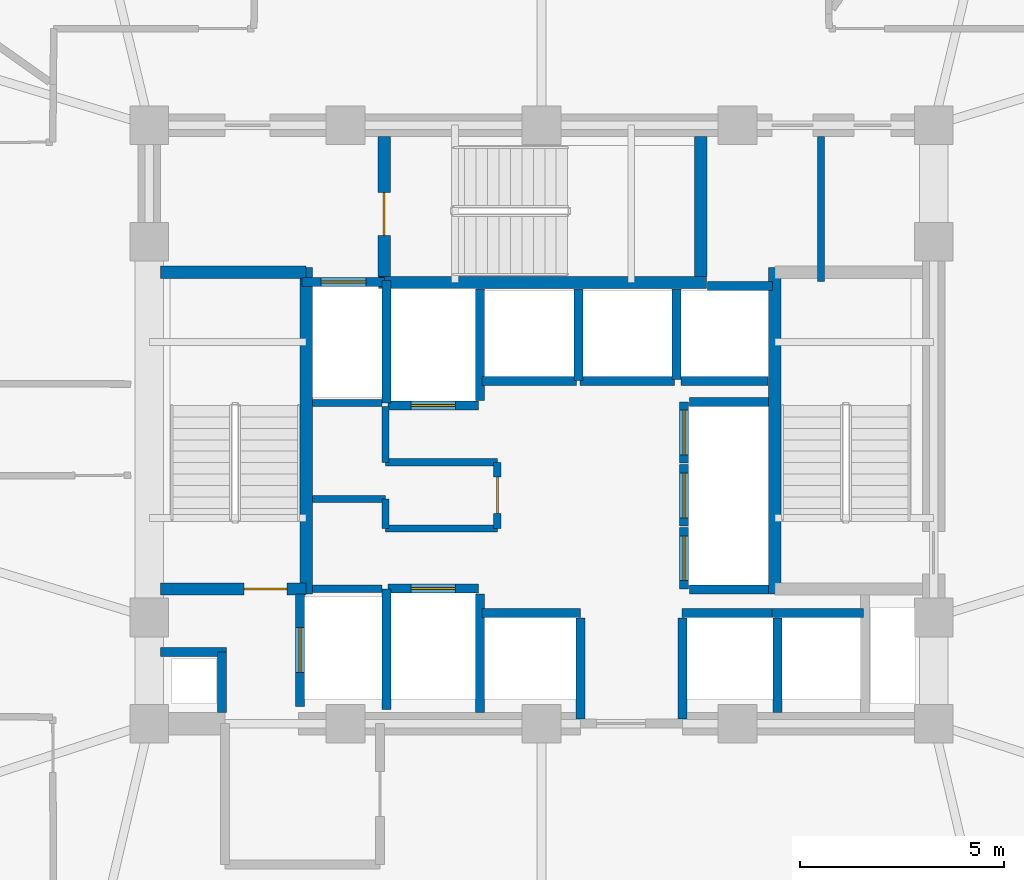
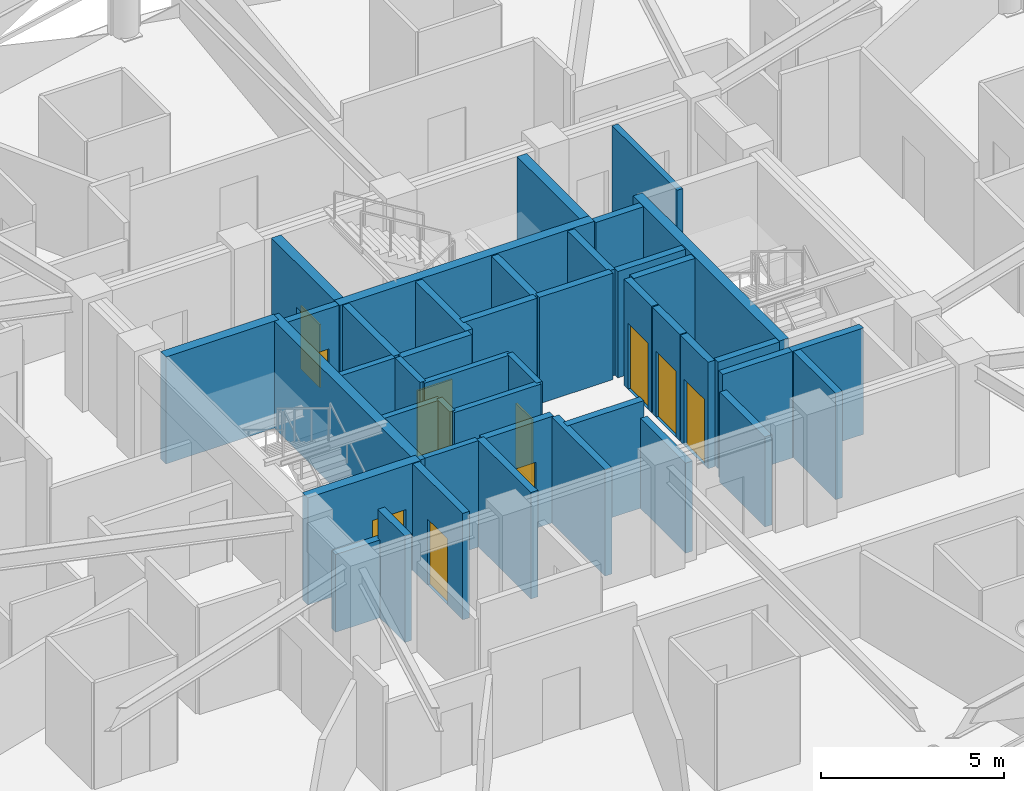
# One storey, part 23 of 29: 43 walls, 10 doors, 10 openings.
"""IFC4 building model written with IfcOpenShell, lengths in metres."""

import ifcopenshell
import ifcopenshell.guid

model = None  # the IFC model being written
_history = None  # IfcOwnerHistory: only IFC2X3 demands one
_inside = {}  # id of a spatial element -> (the spatial element, [elements in it])
_under = {}  # id of a project, library or spatial element -> (it, [spatial elements below it])
_declared = {}  # id of a project -> (the project, [libraries it declares])
_typed = {}  # id of a type object -> (the type object, [elements of that type])
_made_of = {}  # id of a material, layer set ... -> (it, [elements and type objects made of it])


def new_model(schema):
    """Start an empty IFC model of exactly this schema.

    Asked for "IFC4X3", IfcOpenShell would pick the latest addendum, in which some entities
    have other attributes; the version numbers below select the first issue.
    IFC2X3 requires an IfcOwnerHistory on every rooted entity: one is made here for all.
    """
    global model, _history
    if schema == "IFC4X3":
        model = ifcopenshell.file(schema_version=(4, 3, 0, 0))
    else:
        model = ifcopenshell.file(schema=schema)
    _inside.clear()
    _under.clear()
    _declared.clear()
    _typed.clear()
    _made_of.clear()
    _history = None
    if model.schema == "IFC2X3":
        org = make("IfcOrganization", Name="unknown")
        user = make(
            "IfcPersonAndOrganization",
            ThePerson=make("IfcPerson", FamilyName="unknown"),
            TheOrganization=org,
        )
        app = make(
            "IfcApplication",
            ApplicationDeveloper=org,
            Version="unknown",
            ApplicationFullName="unknown",
            ApplicationIdentifier="unknown",
        )
        _history = make(
            "IfcOwnerHistory",
            OwningUser=user,
            OwningApplication=app,
            ChangeAction="ADDED",
            CreationDate=0,
        )
    return model


def make(cls, **values):
    """One entity of the class cls with the attributes given. An attribute that is None is left unset."""
    return model.create_entity(
        cls, **{name: value for name, value in values.items() if value is not None}
    )


def rooted(cls, **values):
    """An entity with a GlobalId (a new one), such as an element, a storey or a relation."""
    return make(cls, GlobalId=ifcopenshell.guid.new(), OwnerHistory=_history, **values)


def si_unit(unit_type, name, prefix=None):
    """IfcSIUnit, for example si_unit("LENGTHUNIT", "METRE", prefix="MILLI")."""
    return make("IfcSIUnit", UnitType=unit_type, Prefix=prefix, Name=name)


def assignment(units):
    """IfcUnitAssignment: the units of a project."""
    return None if units is None else make("IfcUnitAssignment", Units=units)


def point(xyz):
    """IfcCartesianPoint."""
    return None if xyz is None else make("IfcCartesianPoint", Coordinates=xyz)


def direction(xyz):
    """IfcDirection."""
    return None if xyz is None else make("IfcDirection", DirectionRatios=xyz)


def frame(location, z_axis=None, x_axis=None):
    """IfcAxis2Placement3D, a coordinate frame: its origin and axes. An axis left out is left unset."""
    return make(
        "IfcAxis2Placement3D",
        Location=point(location),
        Axis=direction(z_axis),
        RefDirection=direction(x_axis),
    )


def frame_2d(location, x_axis=None):
    """IfcAxis2Placement2D, a coordinate frame in the plane: its origin and x axis."""
    return make(
        "IfcAxis2Placement2D", Location=point(location), RefDirection=direction(x_axis)
    )


def origin():
    """The frame at (0, 0, 0) with its axes left unset."""
    return frame((0.0, 0.0, 0.0))


def place(relative_to, where):
    """IfcLocalPlacement: puts the frame where relative to a parent placement (None: the world)."""
    return make(
        "IfcLocalPlacement", PlacementRelTo=relative_to, RelativePlacement=where
    )


def context(
    kind, dimensions, precision=None, world=None, true_north=None, identifier=None
):
    """IfcGeometricRepresentationContext, for example the 3D "Model" context."""
    return make(
        "IfcGeometricRepresentationContext",
        ContextIdentifier=identifier,
        ContextType=kind,
        CoordinateSpaceDimension=dimensions,
        Precision=precision,
        WorldCoordinateSystem=world,
        TrueNorth=true_north,
    )


def subcontext(parent, identifier, kind, view, scale=None):
    """IfcGeometricRepresentationSubContext, for example "Body" below "Model"."""
    return make(
        "IfcGeometricRepresentationSubContext",
        ContextIdentifier=identifier,
        ContextType=kind,
        ParentContext=parent,
        TargetScale=scale,
        TargetView=view,
    )


def project(units=None, contexts=None):
    """IfcProject with its units and contexts."""
    return rooted(
        "IfcProject",
        Name="project",
        RepresentationContexts=contexts,
        UnitsInContext=assignment(units),
    )


def spatial(cls, under=None, at=None, **own):
    """A site, building, storey or space (cls), placed at a placement, below another one or the project."""
    s = rooted(cls, ObjectPlacement=at, **own)
    if under is not None:
        _under.setdefault(under.id(), (under, []))[1].append(s)
    return s


def profile(cls, at=None, kind="AREA", **sizes):
    """A parametric profile (cls). Its sizes go by their IFC names, for example OverallWidth=200.0."""
    return make(cls, ProfileType=kind, Position=at, **sizes)


def rectangle(**sizes):
    """IfcRectangleProfileDef."""
    return profile("IfcRectangleProfileDef", **sizes)


def extrude(swept, where, along, depth):
    """IfcExtrudedAreaSolid: the profile swept, set in the frame where, extruded along a direction by depth."""
    return make(
        "IfcExtrudedAreaSolid",
        SweptArea=swept,
        Position=where,
        ExtrudedDirection=direction(along),
        Depth=depth,
    )


def shape(context_of_items, identifier, shape_type, items):
    """IfcShapeRepresentation: the items that make up one representation, for example the "Body"."""
    return make(
        "IfcShapeRepresentation",
        ContextOfItems=context_of_items,
        RepresentationIdentifier=identifier,
        RepresentationType=shape_type,
        Items=items,
    )


def material(Name=None, Category=None):
    """IfcMaterial."""
    return make("IfcMaterial", Name=Name, Category=Category)


def layer(
    of_material, thickness, ventilated=None, Name=None, Category=None, Priority=None
):
    """IfcMaterialLayer: one layer of a wall or slab, of a material (None: an air gap)."""
    return make(
        "IfcMaterialLayer",
        Material=of_material,
        LayerThickness=thickness,
        IsVentilated=ventilated,
        Name=Name,
        Category=Category,
        Priority=Priority,
    )


def layer_set(layers, Name=None):
    """IfcMaterialLayerSet."""
    return make("IfcMaterialLayerSet", MaterialLayers=layers, LayerSetName=Name)


def made_of(thing, what):
    """Note that an element or type object is made of a material, layer set ...; save() writes the relation."""
    if what is not None:
        _made_of.setdefault(what.id(), (what, []))[1].append(thing)
    return thing


def type_object(cls, material=None, **own):
    """A type object (cls), such as IfcWallType, which elements share."""
    return made_of(rooted(cls, **own), material)


def element(
    cls,
    number,
    at=None,
    inside=None,
    cuts=None,
    type_object=None,
    material=None,
    context=None,
    identifier="Body",
    shape_type=None,
    held_by="IfcProductDefinitionShape",
    body=None,
    shapes=None,
    **own,
):
    """One element of the class cls, such as IfcWall. Its Tag is "e" and its number.

    at: its placement. inside: the storey or other place that contains it. cuts: it is an
    opening in that element (IfcRelVoidsElement). A single representation is given by context,
    identifier, shape_type and body (its items); several are given by shapes. held_by: the class
    of the entity that holds the representations. save() writes the other relations.
    """
    e = rooted(cls, Tag="e%d" % number, ObjectPlacement=at, **own)
    if body is not None:
        shapes = [shape(context, identifier, shape_type, body)]
    if shapes is not None:
        e.Representation = make(held_by, Representations=shapes)
    if inside is not None:
        _inside.setdefault(inside.id(), (inside, []))[1].append(e)
    if cuts is not None:
        rooted(
            "IfcRelVoidsElement", RelatingBuildingElement=cuts, RelatedOpeningElement=e
        )
    if type_object is not None:
        _typed.setdefault(type_object.id(), (type_object, []))[1].append(e)
    return made_of(e, material)


def fill(opening, filler):
    """IfcRelFillsElement: the door or window that sits in an opening."""
    return rooted(
        "IfcRelFillsElement",
        RelatingOpeningElement=opening,
        RelatedBuildingElement=filler,
    )


def aggregate(whole, parts):
    """IfcRelAggregates: a whole, such as a stair, and the parts it consists of."""
    return rooted("IfcRelAggregates", RelatingObject=whole, RelatedObjects=parts)


def save(model, path):
    """Write the relations noted so far, then the file.

    IfcRelAggregates (storeys below a building ...), IfcRelContainedInSpatialStructure (elements
    in a storey), IfcRelDefinesByType, IfcRelAssociatesMaterial and IfcRelDeclares: one each for
    every whole, place, type object, material and project.
    """
    for whole, parts in _under.values():
        aggregate(whole, parts)
    for where, things in _inside.values():
        rooted(
            "IfcRelContainedInSpatialStructure",
            RelatedElements=things,
            RelatingStructure=where,
        )
    for kind, things in _typed.values():
        rooted("IfcRelDefinesByType", RelatedObjects=things, RelatingType=kind)
    for what, things in _made_of.values():
        rooted("IfcRelAssociatesMaterial", RelatedObjects=things, RelatingMaterial=what)
    for by, libraries in _declared.values():
        rooted("IfcRelDeclares", RelatingContext=by, RelatedDefinitions=libraries)
    model.write(path)


model = new_model("IFC4")

# Units and contexts
model_context = context("Model", 3, precision=1e-05, world=origin(), true_north=direction((0.0, 1.0)))
body_context = subcontext(model_context, "Body", "Model", "MODEL_VIEW")
ifc_project = project(units=[si_unit("LENGTHUNIT", "METRE"), si_unit("AREAUNIT", "SQUARE_METRE"), si_unit("VOLUMEUNIT", "CUBIC_METRE"), si_unit("PLANEANGLEUNIT", "RADIAN"), si_unit("MASSUNIT", "GRAM", prefix="KILO")], contexts=[model_context])

# Site, building, storey
site_placement = place(None, origin())
site = spatial("IfcSite", under=ifc_project, at=site_placement, CompositionType="ELEMENT")
building_placement = place(site_placement, origin())
building = spatial("IfcBuilding", under=site, at=building_placement, Name="Vantalir Tower", CompositionType="ELEMENT")
storey_placement = place(building_placement, frame((0.0, 0.0, 149.699951171875)))
storey = spatial("IfcBuildingStorey", under=building, at=storey_placement, Name="L37", CompositionType="ELEMENT", Elevation=149.699951171875)

# Walls
ifc_material_1 = material(Name="Concrete blockwork with fireboard lining", Category="masonry")
ifc_layer_1 = layer(ifc_material_1, 0.219970703125)
ifc_layer_set_1 = layer_set([ifc_layer_1], Name="Concrete blockwork with fireboard lining")
wall_type_1 = type_object("IfcWallType", Name="WL-FFL-220", PredefinedType="PARTITIONING", material=ifc_layer_set_1)
wall_1_placement = place(storey_placement, frame((30.0, 18.080078125, 0.0), z_axis=(0.0, 0.0, 1.0), x_axis=(0.0, 1.0, 0.0)))
element("IfcWall", 1, at=wall_1_placement, inside=storey, type_object=wall_type_1, Name="L37 Service Lift SV1 East Shaft Wall", PredefinedType="PARTITIONING", context=body_context, shape_type="SweptSolid", body=[
    extrude(rectangle(XDim=2.89990234375, YDim=0.219970703125, at=frame_2d((1.449951171875, 0.0))), origin(), (0.0, 0.0, 1.0), 3.545166015625),
])
for number, where, z_axis, x_axis, name in (
    (2, (32.449951171875, 17.919921875, 0.0), (0.0, 0.0, 1.0), (0.0, 1.0, 0.0), "L37 Shuttle Lift PL-X1 East Shaft Cheek"),
    (3, (34.949951171875, 17.919921875, 0.0), (0.0, 0.0, 1.0), (0.0, 1.0, 0.0), "L37 Shuttle Lift PL-X3 West Shaft Cheek"),
):
    element("IfcWall", number, at=place(storey_placement, frame(where, z_axis=z_axis, x_axis=x_axis)), inside=storey, type_object=wall_type_1, Name=name, PredefinedType="PARTITIONING", context=body_context, shape_type="SweptSolid", body=[
        extrude(rectangle(XDim=2.469970703125, YDim=0.219970703125, at=frame_2d((1.23486328125, 0.0))), origin(), (0.0, 0.0, 1.0), 3.006103515625),
    ])
wall_2_placement = place(storey_placement, frame((37.27490234375, 18.080078125, 0.0), z_axis=(0.0, 0.0, 1.0), x_axis=(0.0, 1.0, 0.0)))
element("IfcWall", 4, at=wall_2_placement, inside=storey, type_object=wall_type_1, Name="L37 Shuttle Lift PL-X2/X3 Shaft Divider", PredefinedType="PARTITIONING", context=body_context, shape_type="SweptSolid", body=[
    extrude(rectangle(XDim=2.309814453125, YDim=0.219970703125, at=frame_2d((1.15478515625, 0.0))), origin(), (0.0, 0.0, 1.0), 3.545166015625),
])
wall_3_placement = place(storey_placement, frame((30.0, 25.7099609375, 0.0), z_axis=(0.0, 0.0, 1.0), x_axis=(0.0, 1.0, 0.0)))
element("IfcWall", 5, at=wall_3_placement, inside=storey, type_object=wall_type_1, Name="L37 Service Lift SV2 East Shaft Wall", PredefinedType="PARTITIONING", context=body_context, shape_type="SweptSolid", body=[
    extrude(rectangle(XDim=2.72998046875, YDim=0.219970703125, at=frame_2d((1.364990234375, 0.0))), origin(), (0.0, 0.0, 1.0), 3.545166015625),
])
wall_4_placement = place(storey_placement, frame((32.39990234375, 26.199951171875, 0.0), z_axis=(0.0, 0.0, 1.0), x_axis=(0.0, 1.0, 0.0)))
element("IfcWall", 6, at=wall_4_placement, inside=storey, type_object=wall_type_1, Name="L37 High-Rise Lift PL-H1/H2 Shaft Divider", PredefinedType="PARTITIONING", context=body_context, shape_type="SweptSolid", body=[
    extrude(rectangle(XDim=2.239990234375, YDim=0.219970703125, at=frame_2d((1.1201171875, 0.0))), origin(), (0.0, 0.0, 1.0), 3.545166015625),
])
wall_5_placement = place(storey_placement, frame((34.800048828125, 26.22998046875, 0.0), z_axis=(0.0, 0.0, 1.0), x_axis=(0.0, 1.0, 0.0)))
element("IfcWall", 7, at=wall_5_placement, inside=storey, type_object=wall_type_1, Name="L37 High-Rise Lift PL-H2/H3 Shaft Divider", PredefinedType="PARTITIONING", context=body_context, shape_type="SweptSolid", body=[
    extrude(rectangle(XDim=2.2099609375, YDim=0.219970703125, at=frame_2d((1.10498046875, 0.0))), origin(), (0.0, 0.0, 1.0), 3.545166015625),
])
wall_6_placement = place(storey_placement, frame((34.909912109375, 26.18994140625, 0.0), z_axis=(0.0, 0.0, 1.0), x_axis=(1.0, 0.0, 0.0)))
element("IfcWall", 8, at=wall_6_placement, inside=storey, type_object=wall_type_1, Name="L37 High-Rise Lift PL-H3 Rear Shaft Wall", PredefinedType="PARTITIONING", context=body_context, shape_type="SweptSolid", body=[
    extrude(rectangle(XDim=2.14013671875, YDim=0.219970703125, at=frame_2d((1.070068359375, 0.0))), origin(), (0.0, 0.0, 1.0), 3.545166015625),
])
wall_7_placement = place(storey_placement, frame((23.679931640625, 18.074951171875, 0.0), z_axis=(0.0, 0.0, 1.0), x_axis=(0.0, 1.0, 0.0)))
element("IfcWall", 9, at=wall_7_placement, inside=storey, type_object=wall_type_1, Name="L37 West MEP Riser Wall E", PredefinedType="PARTITIONING", context=body_context, shape_type="SweptSolid", body=[
    extrude(rectangle(XDim=1.47509765625, YDim=0.219970703125, at=frame_2d((0.737548828125, 0.0))), origin(), (0.0, 0.0, 1.0), 3.550048828125),
])
wall_8_placement = place(storey_placement, frame((22.175048828125, 19.550048828125, 0.0), z_axis=(0.0, 0.0, 1.0), x_axis=(1.0, 0.0, 0.0)))
element("IfcWall", 10, at=wall_8_placement, inside=storey, type_object=wall_type_1, Name="L37 West MEP Riser Wall N", PredefinedType="PARTITIONING", context=body_context, shape_type="SweptSolid", body=[
    extrude(rectangle(XDim=1.614990234375, YDim=0.219970703125, at=frame_2d((0.8076171875, 0.0))), origin(), (0.0, 0.0, 1.0), 2.594970703125),
])

# Wall, opening, door
wall_9_placement = place(storey_placement, frame((25.590087890625, 18.219970703125, 0.0), z_axis=(0.0, 0.0, 1.0), x_axis=(0.0, 1.0, 0.0)))
wall_9 = element("IfcWall", 11, at=wall_9_placement, inside=storey, type_object=wall_type_1, Name="L37 Lift FL1 Shaft Front Wall", PredefinedType="PARTITIONING", context=body_context, shape_type="SweptSolid", body=[
    extrude(rectangle(XDim=2.760009765625, YDim=0.219970703125, at=frame_2d((1.3798828125, 0.0))), origin(), (0.0, 0.0, 1.0), 3.550048828125),
])
opening_1_placement = place(wall_9_placement, frame((0.830078125, 0.0, 0.0)))
opening_1 = element("IfcOpeningElement", 12, at=opening_1_placement, cuts=wall_9, Name="Opening LD-FL1", PredefinedType="OPENING", context=body_context, shape_type="SweptSolid", body=[
    extrude(rectangle(XDim=1.10009765625, YDim=2.199951171875, at=frame_2d((0.550048828125, 1.10009765625))), frame((0.0, 0.119873046875, 0.0), z_axis=(0.0, -1.0, 0.0), x_axis=(1.0, 0.0, 0.0)), (0.0, 0.0, 1.0), 0.239990234375),
])
ifc_material_2 = material(Name="Brushed stainless-steel sliding lift landing door", Category="steel")
door_type_1 = type_object("IfcDoorType", Name="DR-LIFT-LANDING-1100", OperationType="DOUBLE_DOOR_SLIDING", PredefinedType="DOOR", material=ifc_material_2)
door_1_placement = place(opening_1_placement, origin())
door_1 = element("IfcDoor", 13, at=door_1_placement, inside=storey, type_object=door_type_1, Name="L37 Lift Landing Door FL1", OperationType="DOUBLE_DOOR_SLIDING", OverallHeight=2.199951171875, OverallWidth=1.10009765625, PredefinedType="DOOR", context=body_context, shape_type="SweptSolid", body=[
    extrude(rectangle(XDim=1.10009765625, YDim=2.199951171875, at=frame_2d((0.550048828125, 1.10009765625))), frame((0.0, 0.02490234375, 0.0), z_axis=(0.0, -1.0, 0.0), x_axis=(1.0, 0.0, 0.0)), (0.0, 0.0, 1.0), 0.050048828125),
])
fill(opening_1, door_1)

wall_10_placement = place(storey_placement, frame((25.639892578125, 28.610107421875, 0.0), z_axis=(0.0, 0.0, 1.0), x_axis=(1.0, 0.0, 0.0)))
wall_10 = element("IfcWall", 14, at=wall_10_placement, inside=storey, type_object=wall_type_1, Name="L37 Lift FL2 Shaft Front Wall", PredefinedType="PARTITIONING", context=body_context, shape_type="SweptSolid", body=[
    extrude(rectangle(XDim=2.02001953125, YDim=0.219970703125, at=frame_2d((1.010009765625, 0.0))), origin(), (0.0, 0.0, 1.0), 3.550048828125),
])
opening_2_placement = place(wall_10_placement, frame((0.4599609375, 0.0, 0.0)))
opening_2 = element("IfcOpeningElement", 15, at=opening_2_placement, cuts=wall_10, Name="Opening LD-FL2", PredefinedType="OPENING", context=body_context, shape_type="SweptSolid", body=[
    extrude(rectangle(XDim=1.10009765625, YDim=2.199951171875, at=frame_2d((0.550048828125, 1.10009765625))), frame((0.0, 0.119873046875, 0.0), z_axis=(0.0, -1.0, 0.0), x_axis=(1.0, 0.0, 0.0)), (0.0, 0.0, 1.0), 0.239990234375),
])
door_2_placement = place(opening_2_placement, origin())
door_2 = element("IfcDoor", 16, at=door_2_placement, inside=storey, type_object=door_type_1, Name="L37 Lift Landing Door FL2", OperationType="DOUBLE_DOOR_SLIDING", OverallHeight=2.199951171875, OverallWidth=1.10009765625, PredefinedType="DOOR", context=body_context, shape_type="SweptSolid", body=[
    extrude(rectangle(XDim=1.10009765625, YDim=2.199951171875, at=frame_2d((0.550048828125, 1.10009765625))), frame((0.0, 0.02490234375, 0.0), z_axis=(0.0, -1.0, 0.0), x_axis=(1.0, 0.0, 0.0)), (0.0, 0.0, 1.0), 0.050048828125),
])
fill(opening_2, door_2)

wall_11_placement = place(storey_placement, frame((27.739990234375, 21.110107421875, 0.0), z_axis=(0.0, 0.0, 1.0), x_axis=(1.0, 0.0, 0.0)))
wall_11 = element("IfcWall", 17, at=wall_11_placement, inside=storey, type_object=wall_type_1, Name="L37 Lift SV1 Shaft Front Wall", PredefinedType="PARTITIONING", context=body_context, shape_type="SweptSolid", body=[
    extrude(rectangle(XDim=2.219970703125, YDim=0.219970703125, at=frame_2d((1.10986328125, 0.0))), origin(), (0.0, 0.0, 1.0), 3.550048828125),
])
opening_3_placement = place(wall_11_placement, frame((0.56005859375, 0.0, 0.0)))
opening_3 = element("IfcOpeningElement", 18, at=opening_3_placement, cuts=wall_11, Name="Opening LD-SV1", PredefinedType="OPENING", context=body_context, shape_type="SweptSolid", body=[
    extrude(rectangle(XDim=1.10009765625, YDim=2.199951171875, at=frame_2d((0.550048828125, 1.10009765625))), frame((0.0, 0.119873046875, 0.0), z_axis=(0.0, -1.0, 0.0), x_axis=(1.0, 0.0, 0.0)), (0.0, 0.0, 1.0), 0.239990234375),
])
door_3_placement = place(opening_3_placement, origin())
door_3 = element("IfcDoor", 19, at=door_3_placement, inside=storey, type_object=door_type_1, Name="L37 Lift Landing Door SV1", OperationType="DOUBLE_DOOR_SLIDING", OverallHeight=2.199951171875, OverallWidth=1.10009765625, PredefinedType="DOOR", context=body_context, shape_type="SweptSolid", body=[
    extrude(rectangle(XDim=1.10009765625, YDim=2.199951171875, at=frame_2d((0.550048828125, 1.10009765625))), frame((0.0, 0.02490234375, 0.0), z_axis=(0.0, -1.0, 0.0), x_axis=(1.0, 0.0, 0.0)), (0.0, 0.0, 1.0), 0.050048828125),
])
fill(opening_3, door_3)

wall_12_placement = place(storey_placement, frame((27.739990234375, 25.590087890625, 0.0), z_axis=(0.0, 0.0, 1.0), x_axis=(1.0, 0.0, 0.0)))
wall_12 = element("IfcWall", 20, at=wall_12_placement, inside=storey, type_object=wall_type_1, Name="L37 Lift SV2 Shaft Front Wall", PredefinedType="PARTITIONING", context=body_context, shape_type="SweptSolid", body=[
    extrude(rectangle(XDim=2.219970703125, YDim=0.219970703125, at=frame_2d((1.10986328125, 0.0))), origin(), (0.0, 0.0, 1.0), 3.550048828125),
])
opening_4_placement = place(wall_12_placement, frame((0.56005859375, 0.0, 0.0)))
opening_4 = element("IfcOpeningElement", 21, at=opening_4_placement, cuts=wall_12, Name="Opening LD-SV2", PredefinedType="OPENING", context=body_context, shape_type="SweptSolid", body=[
    extrude(rectangle(XDim=1.10009765625, YDim=2.199951171875, at=frame_2d((0.550048828125, 1.10009765625))), frame((0.0, 0.119873046875, 0.0), z_axis=(0.0, -1.0, 0.0), x_axis=(1.0, 0.0, 0.0)), (0.0, 0.0, 1.0), 0.239990234375),
])
door_4_placement = place(opening_4_placement, frame((1.10009765625, 0.0, 0.0), z_axis=(0.0, 0.0, 1.0), x_axis=(-1.0, 0.0, 0.0)))
door_4 = element("IfcDoor", 22, at=door_4_placement, inside=storey, type_object=door_type_1, Name="L37 Lift Landing Door SV2", OperationType="DOUBLE_DOOR_SLIDING", OverallHeight=2.199951171875, OverallWidth=1.10009765625, PredefinedType="DOOR", context=body_context, shape_type="SweptSolid", body=[
    extrude(rectangle(XDim=1.10009765625, YDim=2.199951171875, at=frame_2d((0.550048828125, 1.10009765625))), frame((0.0, 0.02490234375, 0.0), z_axis=(0.0, -1.0, 0.0), x_axis=(1.0, 0.0, 0.0)), (0.0, 0.0, 1.0), 0.050048828125),
])
fill(opening_4, door_4)

# Walls
wall_13_placement = place(storey_placement, frame((30.0400390625, 20.510009765625, 0.0), z_axis=(0.0, 0.0, 1.0), x_axis=(1.0, 0.0, 0.0)))
element("IfcWall", 23, at=wall_13_placement, inside=storey, type_object=wall_type_1, Name="L37 Lift PL-X1 Shaft Front Wall", PredefinedType="PARTITIONING", context=body_context, shape_type="SweptSolid", body=[
    extrude(rectangle(XDim=2.419921875, YDim=0.219970703125, at=frame_2d((1.2099609375, 0.0))), origin(), (0.0, 0.0, 1.0), 3.550048828125),
])
for number, where, z_axis, x_axis, name in (
    (24, (37.139892578125, 20.510009765625, 0.0), (0.0, 0.0, 1.0), (1.0, 0.0, 0.0), "L37 Lift PL-X2 Shaft Rear Wall"),
    (25, (34.93994140625, 20.510009765625, 0.0), (0.0, 0.0, 1.0), (1.0, 0.0, 0.0), "L37 Lift PL-X3 Shaft Front Wall"),
):
    element("IfcWall", number, at=place(storey_placement, frame(where, z_axis=z_axis, x_axis=x_axis)), inside=storey, type_object=wall_type_1, Name=name, PredefinedType="PARTITIONING", context=body_context, shape_type="SweptSolid", body=[
        extrude(rectangle(XDim=2.239990234375, YDim=0.219970703125, at=frame_2d((1.1201171875, 0.0))), origin(), (0.0, 0.0, 1.0), 3.550048828125),
    ])
for number, where, z_axis, x_axis, name in (
    (26, (30.0400390625, 26.18994140625, 0.0), (0.0, 0.0, 1.0), (1.0, 0.0, 0.0), "L37 Lift PL-H1 Shaft Front Wall"),
    (27, (32.43994140625, 26.18994140625, 0.0), (0.0, 0.0, 1.0), (1.0, 0.0, 0.0), "L37 Lift PL-H2 Shaft Front Wall"),
):
    element("IfcWall", number, at=place(storey_placement, frame(where, z_axis=z_axis, x_axis=x_axis)), inside=storey, type_object=wall_type_1, Name=name, PredefinedType="PARTITIONING", context=body_context, shape_type="SweptSolid", body=[
        extrude(rectangle(XDim=2.320068359375, YDim=0.219970703125, at=frame_2d((1.16015625, 0.0))), origin(), (0.0, 0.0, 1.0), 3.550048828125),
    ])
wall_14_placement = place(storey_placement, frame((35.56005859375, 28.510009765625, 0.0), z_axis=(0.0, 0.0, 1.0), x_axis=(1.0, 0.0, 0.0)))
element("IfcWall", 28, at=wall_14_placement, inside=storey, type_object=wall_type_1, Name="L37 Lift PL-H3 Shaft Front Wall", PredefinedType="PARTITIONING", context=body_context, shape_type="SweptSolid", body=[
    extrude(rectangle(XDim=1.599853515625, YDim=0.219970703125, at=frame_2d((0.7998046875, 0.0))), origin(), (0.0, 0.0, 1.0), 3.550048828125),
])

# Wall, opening, door
wall_15_placement = place(storey_placement, frame((34.989990234375, 21.10009765625, 0.0), z_axis=(0.0, 0.0, 1.0), x_axis=(0.0, 1.0, 0.0)))
wall_15 = element("IfcWall", 29, at=wall_15_placement, inside=storey, type_object=wall_type_1, Name="L37 Lift PL-M1 Shaft Front Wall", PredefinedType="PARTITIONING", context=body_context, shape_type="SweptSolid", body=[
    extrude(rectangle(XDim=1.5, YDim=0.219970703125, at=frame_2d((0.75, 0.0))), origin(), (0.0, 0.0, 1.0), 3.550048828125),
])
opening_5_placement = place(wall_15_placement, frame((0.199951171875, 0.0, 0.0)))
opening_5 = element("IfcOpeningElement", 30, at=opening_5_placement, cuts=wall_15, Name="Opening LD-PL-M1", PredefinedType="OPENING", context=body_context, shape_type="SweptSolid", body=[
    extrude(rectangle(XDim=1.10009765625, YDim=2.199951171875, at=frame_2d((0.550048828125, 1.10009765625))), frame((0.0, 0.119873046875, 0.0), z_axis=(0.0, -1.0, 0.0), x_axis=(1.0, 0.0, 0.0)), (0.0, 0.0, 1.0), 0.239990234375),
])
door_5_placement = place(opening_5_placement, origin())
door_5 = element("IfcDoor", 31, at=door_5_placement, inside=storey, type_object=door_type_1, Name="L37 Lift Landing Door PL-M1", OperationType="DOUBLE_DOOR_SLIDING", OverallHeight=2.199951171875, OverallWidth=1.10009765625, PredefinedType="DOOR", context=body_context, shape_type="SweptSolid", body=[
    extrude(rectangle(XDim=1.10009765625, YDim=2.199951171875, at=frame_2d((0.550048828125, 1.10009765625))), frame((0.0, 0.02490234375, 0.0), z_axis=(0.0, -1.0, 0.0), x_axis=(1.0, 0.0, 0.0)), (0.0, 0.0, 1.0), 0.050048828125),
])
fill(opening_5, door_5)

wall_16_placement = place(storey_placement, frame((34.989990234375, 22.639892578125, 0.0), z_axis=(0.0, 0.0, 1.0), x_axis=(0.0, 1.0, 0.0)))
wall_16 = element("IfcWall", 32, at=wall_16_placement, inside=storey, type_object=wall_type_1, Name="L37 Lift PL-M2 Shaft Front Wall", PredefinedType="PARTITIONING", context=body_context, shape_type="SweptSolid", body=[
    extrude(rectangle(XDim=1.5, YDim=0.219970703125, at=frame_2d((0.75, 0.0))), origin(), (0.0, 0.0, 1.0), 3.550048828125),
])
opening_6_placement = place(wall_16_placement, frame((0.199951171875, 0.0, 0.0)))
opening_6 = element("IfcOpeningElement", 33, at=opening_6_placement, cuts=wall_16, Name="Opening LD-PL-M2", PredefinedType="OPENING", context=body_context, shape_type="SweptSolid", body=[
    extrude(rectangle(XDim=1.10009765625, YDim=2.199951171875, at=frame_2d((0.550048828125, 1.10009765625))), frame((0.0, 0.119873046875, 0.0), z_axis=(0.0, -1.0, 0.0), x_axis=(1.0, 0.0, 0.0)), (0.0, 0.0, 1.0), 0.239990234375),
])
door_6_placement = place(opening_6_placement, origin())
door_6 = element("IfcDoor", 34, at=door_6_placement, inside=storey, type_object=door_type_1, Name="L37 Lift Landing Door PL-M2", OperationType="DOUBLE_DOOR_SLIDING", OverallHeight=2.199951171875, OverallWidth=1.10009765625, PredefinedType="DOOR", context=body_context, shape_type="SweptSolid", body=[
    extrude(rectangle(XDim=1.10009765625, YDim=2.199951171875, at=frame_2d((0.550048828125, 1.10009765625))), frame((0.0, 0.02490234375, 0.0), z_axis=(0.0, -1.0, 0.0), x_axis=(1.0, 0.0, 0.0)), (0.0, 0.0, 1.0), 0.050048828125),
])
fill(opening_6, door_6)

wall_17_placement = place(storey_placement, frame((34.989990234375, 24.179931640625, 0.0), z_axis=(0.0, 0.0, 1.0), x_axis=(0.0, 1.0, 0.0)))
wall_17 = element("IfcWall", 35, at=wall_17_placement, inside=storey, type_object=wall_type_1, Name="L37 Lift PL-M3 Shaft Front Wall", PredefinedType="PARTITIONING", context=body_context, shape_type="SweptSolid", body=[
    extrude(rectangle(XDim=1.5, YDim=0.219970703125, at=frame_2d((0.75, 0.0))), origin(), (0.0, 0.0, 1.0), 3.550048828125),
])
opening_7_placement = place(wall_17_placement, frame((0.199951171875, 0.0, 0.0)))
opening_7 = element("IfcOpeningElement", 36, at=opening_7_placement, cuts=wall_17, Name="Opening LD-PL-M3", PredefinedType="OPENING", context=body_context, shape_type="SweptSolid", body=[
    extrude(rectangle(XDim=1.10009765625, YDim=2.199951171875, at=frame_2d((0.550048828125, 1.10009765625))), frame((0.0, 0.119873046875, 0.0), z_axis=(0.0, -1.0, 0.0), x_axis=(1.0, 0.0, 0.0)), (0.0, 0.0, 1.0), 0.239990234375),
])
door_7_placement = place(opening_7_placement, origin())
door_7 = element("IfcDoor", 37, at=door_7_placement, inside=storey, type_object=door_type_1, Name="L37 Lift Landing Door PL-M3", OperationType="DOUBLE_DOOR_SLIDING", OverallHeight=2.199951171875, OverallWidth=1.10009765625, PredefinedType="DOOR", context=body_context, shape_type="SweptSolid", body=[
    extrude(rectangle(XDim=1.10009765625, YDim=2.199951171875, at=frame_2d((0.550048828125, 1.10009765625))), frame((0.0, 0.02490234375, 0.0), z_axis=(0.0, -1.0, 0.0), x_axis=(1.0, 0.0, 0.0)), (0.0, 0.0, 1.0), 0.050048828125),
])
fill(opening_7, door_7)

# Walls
wall_18_placement = place(storey_placement, frame((27.699951171875, 18.14990234375, 0.0), z_axis=(0.0, 0.0, 1.0), x_axis=(0.0, 1.0, 0.0)))
element("IfcWall", 38, at=wall_18_placement, inside=storey, type_object=wall_type_1, Name="L37 Fire Lift FL1 Dividing Wall", PredefinedType="PARTITIONING", context=body_context, shape_type="SweptSolid", body=[
    extrude(rectangle(XDim=2.9501953125, YDim=0.219970703125, at=frame_2d((1.47509765625, 0.0))), origin(), (0.0, 0.0, 1.0), 3.550048828125),
])
wall_19_placement = place(storey_placement, frame((27.699951171875, 25.64990234375, 0.0), z_axis=(0.0, 0.0, 1.0), x_axis=(0.0, 1.0, 0.0)))
element("IfcWall", 39, at=wall_19_placement, inside=storey, type_object=wall_type_1, Name="L37 Fire Lift FL2 Dividing Wall", PredefinedType="PARTITIONING", context=body_context, shape_type="SweptSolid", body=[
    extrude(rectangle(XDim=3.0, YDim=0.219970703125, at=frame_2d((1.5, 0.0))), origin(), (0.0, 0.0, 1.0), 3.550048828125),
])
for number, where, z_axis, x_axis, name in (
    (40, (35.1201171875, 21.080078125, 0.0), (0.0, 0.0, 1.0), (1.0, 0.0, 0.0), "L37 Mid-Rise Bank South Wall"),
    (41, (35.1201171875, 25.679931640625, 0.0), (0.0, 0.0, 1.0), (1.0, 0.0, 0.0), "L37 Mid-Rise Bank North Wall"),
):
    element("IfcWall", number, at=place(storey_placement, frame(where, z_axis=z_axis, x_axis=x_axis)), inside=storey, type_object=wall_type_1, Name=name, PredefinedType="PARTITIONING", context=body_context, shape_type="SweptSolid", body=[
        extrude(rectangle(XDim=1.93994140625, YDim=0.219970703125, at=frame_2d((0.969970703125, 0.0))), origin(), (0.0, 0.0, 1.0), 3.550048828125),
    ])
ifc_material_3 = material(Name="Twin-stud acoustic fire-rated gypsum partition", Category="gypsum")
ifc_layer_2 = layer(ifc_material_3, 0.179931640625)
ifc_layer_set_2 = layer_set([ifc_layer_2], Name="Twin-stud acoustic fire-rated gypsum partition")
wall_type_2 = type_object("IfcWallType", Name="WL-GUEST-180", PredefinedType="PARTITIONING", material=ifc_layer_set_2)
for number, where, z_axis, x_axis, name in (
    (42, (25.889892578125, 21.10009765625, 0.0), (0.0, 0.0, 1.0), (1.0, 0.0, 0.0), "L37 Freed West Core South Wall"),
    (43, (25.889892578125, 25.64990234375, 0.0), (0.0, 0.0, 1.0), (1.0, 0.0, 0.0), "L37 Freed West Core North Wall"),
):
    element("IfcWall", number, at=place(storey_placement, frame(where, z_axis=z_axis, x_axis=x_axis)), inside=storey, type_object=wall_type_2, Name=name, PredefinedType="PARTITIONING", context=body_context, shape_type="SweptSolid", body=[
        extrude(rectangle(XDim=1.7001953125, YDim=0.179931640625, at=frame_2d((0.85009765625, 0.0))), origin(), (0.0, 0.0, 1.0), 3.550048828125),
    ])
wall_20_placement = place(storey_placement, frame((25.889892578125, 23.300048828125, 0.0), z_axis=(0.0, 0.0, 1.0), x_axis=(1.0, 0.0, 0.0)))
element("IfcWall", 44, at=wall_20_placement, inside=storey, type_object=wall_type_2, Name="L37 West Linen South-West Wall", PredefinedType="PARTITIONING", context=body_context, shape_type="SweptSolid", body=[
    extrude(rectangle(XDim=1.7900390625, YDim=0.179931640625, at=frame_2d((0.89501953125, 0.0))), origin(), (0.0, 0.0, 1.0), 3.550048828125),
])
wall_21_placement = place(storey_placement, frame((27.679931640625, 22.580078125, 0.0), z_axis=(0.0, 0.0, 1.0), x_axis=(0.0, 1.0, 0.0)))
element("IfcWall", 45, at=wall_21_placement, inside=storey, type_object=wall_type_2, Name="L37 West Linen Step Wall", PredefinedType="PARTITIONING", context=body_context, shape_type="SweptSolid", body=[
    extrude(rectangle(XDim=0.719970703125, YDim=0.179931640625, at=frame_2d((0.35986328125, 0.0))), origin(), (0.0, 0.0, 1.0), 3.550048828125),
])
wall_22_placement = place(storey_placement, frame((27.679931640625, 22.580078125, 0.0), z_axis=(0.0, 0.0, 1.0), x_axis=(1.0, 0.0, 0.0)))
element("IfcWall", 46, at=wall_22_placement, inside=storey, type_object=wall_type_2, Name="L37 West Linen Alcove South Wall", PredefinedType="PARTITIONING", context=body_context, shape_type="SweptSolid", body=[
    extrude(rectangle(XDim=2.739990234375, YDim=0.179931640625, at=frame_2d((1.3701171875, 0.0))), origin(), (0.0, 0.0, 1.0), 3.550048828125),
])

# Wall, opening, door
wall_23_placement = place(storey_placement, frame((30.419921875, 22.580078125, 0.0), z_axis=(0.0, 0.0, 1.0), x_axis=(0.0, 1.0, 0.0)))
wall_23 = element("IfcWall", 47, at=wall_23_placement, inside=storey, type_object=wall_type_2, Name="L37 West Linen Alcove East Wall", PredefinedType="PARTITIONING", context=body_context, shape_type="SweptSolid", body=[
    extrude(rectangle(XDim=1.619873046875, YDim=0.179931640625, at=frame_2d((0.81005859375, 0.0))), origin(), (0.0, 0.0, 1.0), 3.550048828125),
])
opening_8_placement = place(wall_23_placement, frame((0.360107421875, 0.0, 0.0)))
opening_8 = element("IfcOpeningElement", 48, at=opening_8_placement, cuts=wall_23, Name="Opening D-CR", PredefinedType="OPENING", context=body_context, shape_type="SweptSolid", body=[
    extrude(rectangle(XDim=0.89990234375, YDim=2.10009765625, at=frame_2d((0.449951171875, 1.050048828125))), frame((0.0, 0.099853515625, 0.0), z_axis=(0.0, -1.0, 0.0), x_axis=(1.0, 0.0, 0.0)), (0.0, 0.0, 1.0), 0.199951171875),
])
ifc_material_4 = material(Name="Fire-rated steel core service door", Category="steel")
door_type_2 = type_object("IfcDoorType", Name="DR-CORE-SERV-900", OperationType="NOTDEFINED", PredefinedType="DOOR", material=ifc_material_4)
door_8_placement = place(opening_8_placement, origin())
door_8 = element("IfcDoor", 49, at=door_8_placement, inside=storey, type_object=door_type_2, Name="L37 Core Linen Store Door", OperationType="SINGLE_SWING_LEFT", OverallHeight=2.10009765625, OverallWidth=0.89990234375, PredefinedType="DOOR", context=body_context, shape_type="SweptSolid", body=[
    extrude(rectangle(XDim=0.89990234375, YDim=2.10009765625, at=frame_2d((0.449951171875, 1.050048828125))), frame((0.0, 0.02490234375, 0.0), z_axis=(0.0, -1.0, 0.0), x_axis=(1.0, 0.0, 0.0)), (0.0, 0.0, 1.0), 0.050048828125),
])
fill(opening_8, door_8)

# Walls
wall_24_placement = place(storey_placement, frame((27.679931640625, 24.199951171875, 0.0), z_axis=(0.0, 0.0, 1.0), x_axis=(1.0, 0.0, 0.0)))
element("IfcWall", 50, at=wall_24_placement, inside=storey, type_object=wall_type_2, Name="L37 West Linen Alcove North Wall", PredefinedType="PARTITIONING", context=body_context, shape_type="SweptSolid", body=[
    extrude(rectangle(XDim=2.739990234375, YDim=0.179931640625, at=frame_2d((1.3701171875, 0.0))), origin(), (0.0, 0.0, 1.0), 3.550048828125),
])
wall_25_placement = place(storey_placement, frame((27.679931640625, 24.199951171875, 0.0), z_axis=(0.0, 0.0, 1.0), x_axis=(0.0, 1.0, 0.0)))
element("IfcWall", 51, at=wall_25_placement, inside=storey, type_object=wall_type_2, Name="L37 West Linen Upper East Wall", PredefinedType="PARTITIONING", context=body_context, shape_type="SweptSolid", body=[
    extrude(rectangle(XDim=1.360107421875, YDim=0.179931640625, at=frame_2d((0.68017578125, 0.0))), origin(), (0.0, 0.0, 1.0), 3.550048828125),
])
wall_26_placement = place(storey_placement, frame((38.340087890625, 28.6201171875, 0.0), z_axis=(0.0, 0.0, 1.0), x_axis=(0.0, 1.0, 0.0)))
element("IfcWall", 52, at=wall_26_placement, inside=storey, type_object=wall_type_2, Name="L37 High-Rise Lift Lobby East Wall", PredefinedType="PARTITIONING", context=body_context, shape_type="SweptSolid", body=[
    extrude(rectangle(XDim=3.554931640625, YDim=0.179931640625, at=frame_2d((1.77734375, 0.0))), origin(), (0.0, 0.0, 1.0), 3.550048828125),
])

# Wall, opening, door
ifc_material_5 = material(Name="Concrete C50/60", Category="concrete")
ifc_layer_3 = layer(ifc_material_5, 0.300048828125)
ifc_layer_set_3 = layer_set([ifc_layer_3], Name="Concrete C50/60")
wall_type_3 = type_object("IfcWallType", Name="WL-STAIR-300", PredefinedType="SHEAR", material=ifc_layer_set_3)
wall_27_placement = place(storey_placement, frame((22.175048828125, 21.10009765625, 0.0), z_axis=(0.0, 0.0, 1.0), x_axis=(1.0, 0.0, 0.0)))
wall_27 = element("IfcWall", 53, at=wall_27_placement, inside=storey, type_object=wall_type_3, Name="L37 Stair ST1 South Wall", PredefinedType="SHEAR", context=body_context, shape_type="SweptSolid", body=[
    extrude(rectangle(XDim=3.56494140625, YDim=0.300048828125, at=frame_2d((1.782470703125, 0.0))), origin(), (0.0, 0.0, 1.0), 3.570068359375),
])
opening_9_placement = place(wall_27_placement, frame((2.044921875, 0.0, 0.0)))
opening_9 = element("IfcOpeningElement", 54, at=opening_9_placement, cuts=wall_27, Name="Opening D-ST", PredefinedType="OPENING", context=body_context, shape_type="SweptSolid", body=[
    extrude(rectangle(XDim=1.050048828125, YDim=2.10009765625, at=frame_2d((0.52490234375, 1.050048828125))), frame((0.0, 0.159912109375, 0.0), z_axis=(0.0, -1.0, 0.0), x_axis=(1.0, 0.0, 0.0)), (0.0, 0.0, 1.0), 0.320068359375),
])
ifc_material_6 = material(Name="Fire-rated steel door leaf", Category="steel")
door_type_3 = type_object("IfcDoorType", Name="DR-FIRE-STAIR-1050", OperationType="NOTDEFINED", PredefinedType="DOOR", material=ifc_material_6)
door_9_placement = place(opening_9_placement, origin())
door_9 = element("IfcDoor", 55, at=door_9_placement, inside=storey, type_object=door_type_3, Name="L37 Exit Stair ST1 Fire Door", OperationType="SINGLE_SWING_RIGHT", OverallHeight=2.10009765625, OverallWidth=1.050048828125, PredefinedType="DOOR", context=body_context, shape_type="SweptSolid", body=[
    extrude(rectangle(XDim=1.050048828125, YDim=2.10009765625, at=frame_2d((0.52490234375, 1.050048828125))), frame((0.0, 0.02490234375, 0.0), z_axis=(0.0, -1.0, 0.0), x_axis=(1.0, 0.0, 0.0)), (0.0, 0.0, 1.0), 0.050048828125),
])
fill(opening_9, door_9)

# Walls
wall_28_placement = place(storey_placement, frame((22.175048828125, 28.85009765625, 0.0), z_axis=(0.0, 0.0, 1.0), x_axis=(1.0, 0.0, 0.0)))
element("IfcWall", 56, at=wall_28_placement, inside=storey, type_object=wall_type_3, Name="L37 Stair ST1 North Wall", PredefinedType="SHEAR", context=body_context, shape_type="SweptSolid", body=[
    extrude(rectangle(XDim=3.56494140625, YDim=0.300048828125, at=frame_2d((1.782470703125, 0.0))), origin(), (0.0, 0.0, 1.0), 3.570068359375),
])
for number, where, z_axis, x_axis, name in (
    (57, (25.739990234375, 20.97998046875, 0.0), (0.0, 0.0, 1.0), (0.0, 1.0, 0.0), "L37 Stair ST1 East Wall"),
    (58, (37.2099609375, 20.97998046875, 0.0), (0.0, 0.0, 1.0), (0.0, 1.0, 0.0), "L37 Stair ST2 West Wall"),
):
    element("IfcWall", number, at=place(storey_placement, frame(where, z_axis=z_axis, x_axis=x_axis)), inside=storey, type_object=wall_type_3, Name=name, PredefinedType="SHEAR", context=body_context, shape_type="SweptSolid", body=[
        extrude(rectangle(XDim=7.989990234375, YDim=0.300048828125, at=frame_2d((3.9951171875, 0.0))), origin(), (0.0, 0.0, 1.0), 3.570068359375),
    ])
wall_29_placement = place(storey_placement, frame((27.510009765625, 28.60009765625, 0.0), z_axis=(0.0, 0.0, 1.0), x_axis=(1.0, 0.0, 0.0)))
element("IfcWall", 59, at=wall_29_placement, inside=storey, type_object=wall_type_3, Name="L37 Stair ST3 South Wall", PredefinedType="SHEAR", context=body_context, shape_type="SweptSolid", body=[
    extrude(rectangle(XDim=8.030029296875, YDim=0.300048828125, at=frame_2d((4.01513671875, 0.0))), origin(), (0.0, 0.0, 1.0), 3.570068359375),
])

# Wall, opening, door
wall_30_placement = place(storey_placement, frame((27.64990234375, 28.75, 0.0), z_axis=(0.0, 0.0, 1.0), x_axis=(0.0, 1.0, 0.0)))
wall_30 = element("IfcWall", 60, at=wall_30_placement, inside=storey, type_object=wall_type_3, Name="L37 Stair ST3 West Wall", PredefinedType="SHEAR", context=body_context, shape_type="SweptSolid", body=[
    extrude(rectangle(XDim=3.425048828125, YDim=0.300048828125, at=frame_2d((1.71240234375, 0.0))), origin(), (0.0, 0.0, 1.0), 3.570068359375),
])
opening_10_placement = place(wall_30_placement, frame((1.0, 0.0, 0.0)))
opening_10 = element("IfcOpeningElement", 61, at=opening_10_placement, cuts=wall_30, Name="Opening D-ST", PredefinedType="OPENING", context=body_context, shape_type="SweptSolid", body=[
    extrude(rectangle(XDim=1.050048828125, YDim=2.10009765625, at=frame_2d((0.52490234375, 1.050048828125))), frame((0.0, 0.159912109375, 0.0), z_axis=(0.0, -1.0, 0.0), x_axis=(1.0, 0.0, 0.0)), (0.0, 0.0, 1.0), 0.320068359375),
])
door_10_placement = place(opening_10_placement, frame((1.050048828125, 0.0, 0.0), z_axis=(0.0, 0.0, 1.0), x_axis=(-1.0, 0.0, 0.0)))
door_10 = element("IfcDoor", 62, at=door_10_placement, inside=storey, type_object=door_type_3, Name="L37 Exit Stair ST3 Fire Door", OperationType="SINGLE_SWING_RIGHT", OverallHeight=2.10009765625, OverallWidth=1.050048828125, PredefinedType="DOOR", context=body_context, shape_type="SweptSolid", body=[
    extrude(rectangle(XDim=1.050048828125, YDim=2.10009765625, at=frame_2d((0.52490234375, 1.050048828125))), frame((0.0, 0.02490234375, 0.0), z_axis=(0.0, -1.0, 0.0), x_axis=(1.0, 0.0, 0.0)), (0.0, 0.0, 1.0), 0.050048828125),
])
fill(opening_10, door_10)

# Wall
wall_31_placement = place(storey_placement, frame((35.39990234375, 28.75, 0.0), z_axis=(0.0, 0.0, 1.0), x_axis=(0.0, 1.0, 0.0)))
element("IfcWall", 63, at=wall_31_placement, inside=storey, type_object=wall_type_3, Name="L37 Stair ST3 East Wall", PredefinedType="SHEAR", context=body_context, shape_type="SweptSolid", body=[
    extrude(rectangle(XDim=3.425048828125, YDim=0.300048828125, at=frame_2d((1.71240234375, 0.0))), origin(), (0.0, 0.0, 1.0), 3.570068359375),
])

save(model, "model.ifc")
